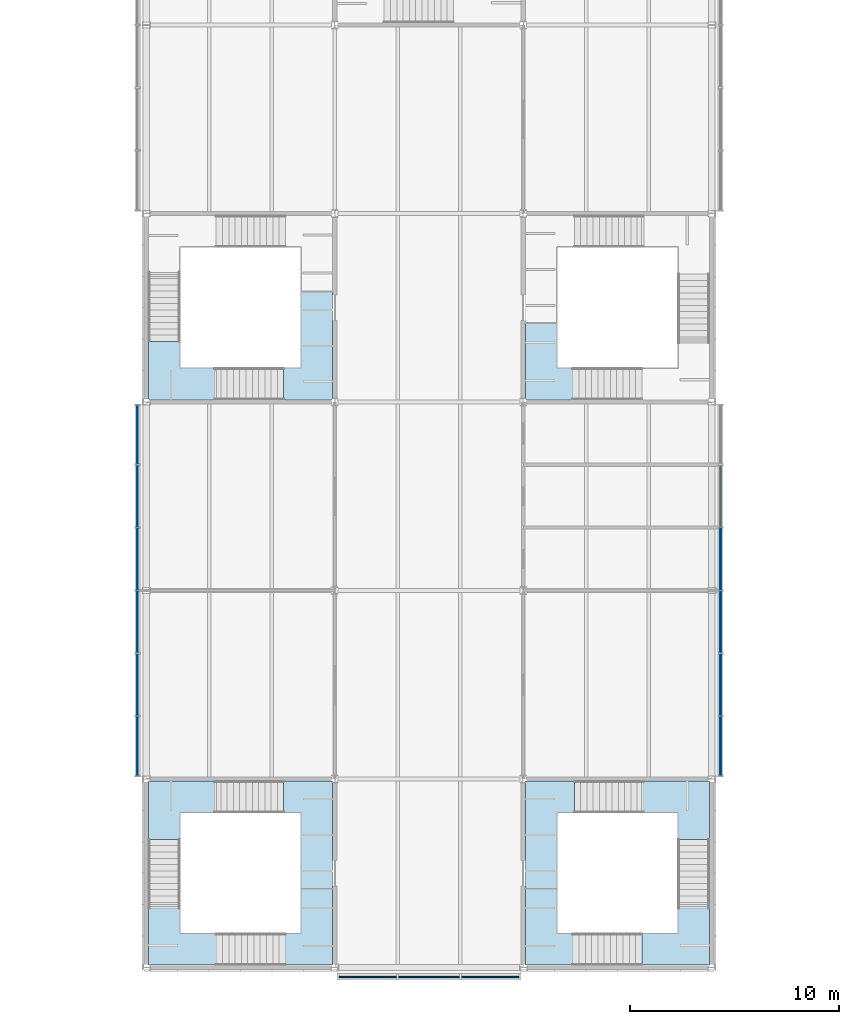
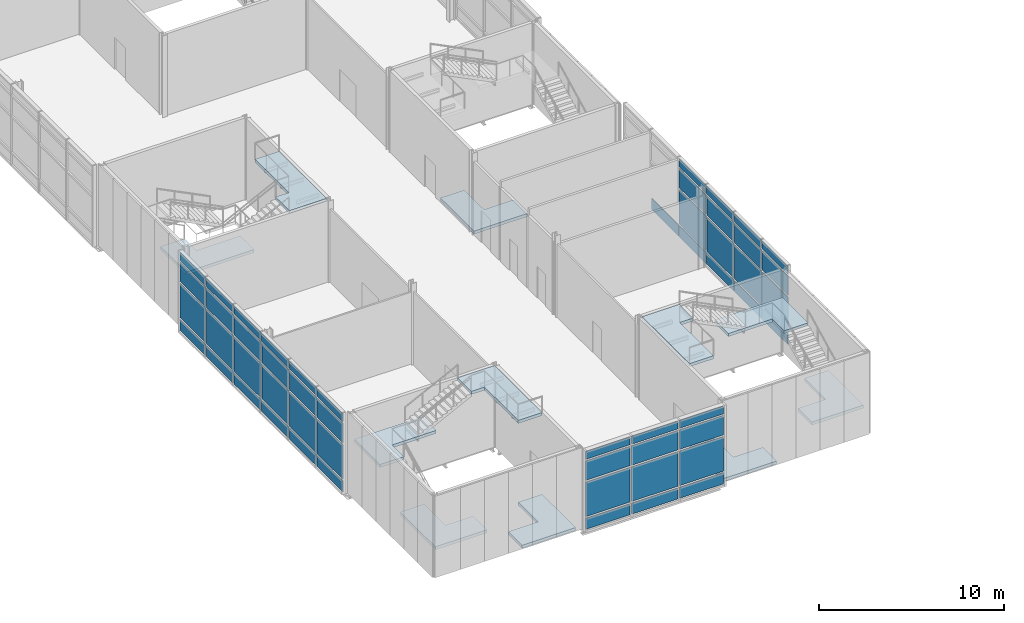
# One storey, part 25 of 52: 53 plates, 11 slabs, 7 elements without a shape of their own.
"""IFC4 building model written with IfcOpenShell, lengths in metres."""

from ifc_helpers import new_model, si_unit, direction, frame, origin, origin_2d, place, context, subcontext, project, spatial, polyline, rectangle, outline, extrude, material, layer, layer_set, type_object, element, aggregate, save


model = new_model("IFC4")

# Units and contexts
model_context = context("Model", 3, precision=1e-05, world=origin(), true_north=direction((0.0, 1.0)))
body_context = subcontext(model_context, "Body", "Model", "MODEL_VIEW")
ifc_project = project(units=[si_unit("LENGTHUNIT", "METRE"), si_unit("AREAUNIT", "SQUARE_METRE"), si_unit("VOLUMEUNIT", "CUBIC_METRE"), si_unit("PLANEANGLEUNIT", "RADIAN"), si_unit("MASSUNIT", "GRAM", prefix="KILO")], contexts=[model_context])

# Site, building, storey
site_placement = place(None, origin())
site = spatial("IfcSite", under=ifc_project, at=site_placement, CompositionType="ELEMENT")
building_placement = place(site_placement, origin())
building = spatial("IfcBuilding", under=site, at=building_placement, Name="Azimuth Sports and Learning Centre", CompositionType="ELEMENT")
storey_placement = place(building_placement, frame((0.0, 0.0, 16.199951171875)))
storey = spatial("IfcBuildingStorey", under=building, at=storey_placement, Name="L03", CompositionType="ELEMENT", Elevation=16.199951171875)

# Stair, slabs
ifc_material_1 = material(Name="Concrete C32/40", Category="concrete")
stair_type = type_object("IfcStairType", Name="Square-well stair stem cell 5400 storey", PredefinedType="THREE_QUARTER_TURN_STAIR", material=ifc_material_1)
stair_1_placement = place(storey_placement, origin())
stair_1 = element("IfcStair", 1, at=stair_1_placement, inside=storey, type_object=stair_type, Name="Stair ST1 L03-L04", PredefinedType="THREE_QUARTER_TURN_STAIR")
ifc_material_2 = material(Name="Concrete C32/40", Category="concrete")
ifc_layer_1 = layer(ifc_material_2, 0.199951171875)
ifc_layer_set_1 = layer_set([ifc_layer_1], Name="Concrete C32/40")
slab_type = type_object("IfcSlabType", Name="Concrete stair landing", PredefinedType="LANDING", material=ifc_layer_set_1)
slab_1_placement = place(storey_placement, frame((0.0, 0.0, -0.199951171875)))
slab_1 = element("IfcSlab", 2, at=slab_1_placement, type_object=slab_type, Name="Stair ST1 L03 landing 1", PredefinedType="LANDING", context=body_context, shape_type="SweptSolid", body=[
    extrude(outline(polyline([(80.889892578125, 0.110107421875), (80.889892578125, 3.75), (79.389892578125, 3.75), (79.389892578125, 1.610107421875), (77.5400390625, 1.610107421875), (77.5400390625, 0.110107421875), (80.889892578125, 0.110107421875)])), origin(), (0.0, 0.0, 1.0), 0.199951171875),
])
slab_2_placement = place(storey_placement, frame((0.0, 0.0, 1.60009765625)))
slab_2 = element("IfcSlab", 3, at=slab_2_placement, type_object=slab_type, Name="Stair ST1 L03 landing 2", PredefinedType="LANDING", context=body_context, shape_type="SweptSolid", body=[
    extrude(outline(polyline([(73.610107421875, 1.610107421875), (73.610107421875, 3.909912109375), (72.110107421875, 3.909912109375), (72.110107421875, 0.110107421875), (75.3408203125, 0.110107421875), (75.3408203125, 1.610107421875), (73.610107421875, 1.610107421875)])), origin(), (0.0, 0.0, 1.0), 0.199951171875),
])
slab_3_placement = place(storey_placement, frame((0.0, 0.0, 3.400146484375)))
slab_3 = element("IfcSlab", 4, at=slab_3_placement, type_object=slab_type, Name="Stair ST1 L03 landing 3", PredefinedType="LANDING", context=body_context, shape_type="SweptSolid", body=[
    extrude(outline(polyline([(73.610107421875, 7.389892578125), (76.360107421875, 7.389892578125), (76.360107421875, 8.889892578125), (72.110107421875, 8.889892578125), (72.110107421875, 6.109375), (73.610107421875, 6.109375), (73.610107421875, 7.389892578125)])), origin(), (0.0, 0.0, 1.0), 0.199951171875),
])
slab_4_placement = place(storey_placement, frame((0.0, 0.0, 5.199951171875)))
slab_4 = element("IfcSlab", 5, at=slab_4_placement, type_object=slab_type, Name="Stair ST1 L03 landing 4", PredefinedType="LANDING", context=body_context, shape_type="SweptSolid", body=[
    extrude(outline(polyline([(79.389892578125, 7.389892578125), (79.389892578125, 3.75), (80.889892578125, 3.75), (80.889892578125, 8.889892578125), (78.559326171875, 8.889892578125), (78.559326171875, 7.389892578125), (79.389892578125, 7.389892578125)])), origin(), (0.0, 0.0, 1.0), 0.2001953125),
])
aggregate(stair_1, [slab_1, slab_2, slab_3, slab_4])

stair_2_placement = place(storey_placement, origin())
stair_2 = element("IfcStair", 6, at=stair_2_placement, inside=storey, type_object=stair_type, Name="Stair ST2 L03-L04", PredefinedType="THREE_QUARTER_TURN_STAIR")
slab_5_placement = place(storey_placement, frame((0.0, 0.0, -0.199951171875)))
slab_5 = element("IfcSlab", 7, at=slab_5_placement, type_object=slab_type, Name="Stair ST2 L03 landing 1", PredefinedType="LANDING", context=body_context, shape_type="SweptSolid", body=[
    extrude(outline(polyline([(93.4599609375, 1.610107421875), (91.610107421875, 1.610107421875), (91.610107421875, 3.75), (90.110107421875, 3.75), (90.110107421875, 0.110107421875), (93.4599609375, 0.110107421875), (93.4599609375, 1.610107421875)])), origin(), (0.0, 0.0, 1.0), 0.199951171875),
])
slab_6_placement = place(storey_placement, frame((0.0, 0.0, 1.60009765625)))
slab_6 = element("IfcSlab", 8, at=slab_6_placement, type_object=slab_type, Name="Stair ST2 L03 landing 2", PredefinedType="LANDING", context=body_context, shape_type="SweptSolid", body=[
    extrude(outline(polyline([(97.389892578125, 1.610107421875), (95.6591796875, 1.610107421875), (95.6591796875, 0.110107421875), (98.889892578125, 0.110107421875), (98.889892578125, 3.909912109375), (97.389892578125, 3.909912109375), (97.389892578125, 1.610107421875)])), origin(), (0.0, 0.0, 1.0), 0.199951171875),
])
slab_7_placement = place(storey_placement, frame((0.0, 0.0, 3.400146484375)))
slab_7 = element("IfcSlab", 9, at=slab_7_placement, type_object=slab_type, Name="Stair ST2 L03 landing 3", PredefinedType="LANDING", context=body_context, shape_type="SweptSolid", body=[
    extrude(outline(polyline([(97.389892578125, 7.389892578125), (97.389892578125, 6.109375), (98.889892578125, 6.109375), (98.889892578125, 8.889892578125), (94.639892578125, 8.889892578125), (94.639892578125, 7.389892578125), (97.389892578125, 7.389892578125)])), origin(), (0.0, 0.0, 1.0), 0.199951171875),
])
slab_8_placement = place(storey_placement, frame((0.0, 0.0, 5.199951171875)))
slab_8 = element("IfcSlab", 10, at=slab_8_placement, type_object=slab_type, Name="Stair ST2 L03 landing 4", PredefinedType="LANDING", context=body_context, shape_type="SweptSolid", body=[
    extrude(outline(polyline([(91.610107421875, 7.389892578125), (92.440673828125, 7.389892578125), (92.440673828125, 8.889892578125), (90.110107421875, 8.889892578125), (90.110107421875, 3.75), (91.610107421875, 3.75), (91.610107421875, 7.389892578125)])), origin(), (0.0, 0.0, 1.0), 0.2001953125),
])
aggregate(stair_2, [slab_5, slab_6, slab_7, slab_8])

stair_3_placement = place(storey_placement, origin())
stair_3 = element("IfcStair", 11, at=stair_3_placement, inside=storey, type_object=stair_type, Name="Stair ST3 L03-L04", PredefinedType="THREE_QUARTER_TURN_STAIR")
slab_9_placement = place(storey_placement, frame((0.0, 0.0, 3.400146484375)))
slab_9 = element("IfcSlab", 12, at=slab_9_placement, type_object=slab_type, Name="Stair ST3 L03 landing 3", PredefinedType="LANDING", context=body_context, shape_type="SweptSolid", body=[
    extrude(outline(polyline([(73.610107421875, 28.610107421875), (73.610107421875, 29.890625), (72.110107421875, 29.890625), (72.110107421875, 27.110107421875), (76.360107421875, 27.110107421875), (76.360107421875, 28.610107421875), (73.610107421875, 28.610107421875)])), origin(), (0.0, 0.0, 1.0), 0.199951171875),
])
slab_10_placement = place(storey_placement, frame((0.0, 0.0, 5.199951171875)))
slab_10 = element("IfcSlab", 13, at=slab_10_placement, type_object=slab_type, Name="Stair ST3 L03 landing 4", PredefinedType="LANDING", context=body_context, shape_type="SweptSolid", body=[
    extrude(outline(polyline([(79.389892578125, 28.610107421875), (78.559326171875, 28.610107421875), (78.559326171875, 27.110107421875), (80.889892578125, 27.110107421875), (80.889892578125, 32.25), (79.389892578125, 32.25), (79.389892578125, 28.610107421875)])), origin(), (0.0, 0.0, 1.0), 0.2001953125),
])
aggregate(stair_3, [slab_9, slab_10])

# Stair, slab
stair_4_placement = place(storey_placement, origin())
stair_4 = element("IfcStair", 14, at=stair_4_placement, inside=storey, type_object=stair_type, Name="Stair ST4 L03-L04", PredefinedType="THREE_QUARTER_TURN_STAIR")
slab_11_placement = place(storey_placement, frame((0.0, 0.0, -0.199951171875)))
slab_11 = element("IfcSlab", 15, at=slab_11_placement, type_object=slab_type, Name="Stair ST4 L03 landing 1", PredefinedType="LANDING", context=body_context, shape_type="SweptSolid", body=[
    extrude(outline(polyline([(93.4599609375, 28.610107421875), (91.610107421875, 28.610107421875), (91.610107421875, 30.75), (90.110107421875, 30.75), (90.110107421875, 27.110107421875), (93.4599609375, 27.110107421875), (93.4599609375, 28.610107421875)])), origin(), (0.0, 0.0, 1.0), 0.199951171875),
])
aggregate(stair_4, [slab_11])

# Curtain wall, plates
ifc_material_3 = material(Name="Aluminium and glass", Category="aluminium")
curtain_wall_type_1 = type_object("IfcCurtainWallType", Name="Curtain wall podium stem 240", PredefinedType="NOTDEFINED", material=ifc_material_3)
curtain_wall_1_placement = place(storey_placement, origin())
curtain_wall_1 = element("IfcCurtainWall", 16, at=curtain_wall_1_placement, inside=storey, type_object=curtain_wall_type_1, Name="Curtain wall CW03-004", PredefinedType="NOTDEFINED")
ifc_material_4 = material(Name="Insulated aluminium panel", Category="aluminium")
ifc_layer_2 = layer(ifc_material_4, 0.06005859375)
ifc_layer_set_2 = layer_set([ifc_layer_2], Name="Insulated aluminium panel")
plate_type_1 = type_object("IfcPlateType", Name="Spandrel panel 60 mm", PredefinedType="CURTAIN_PANEL", material=ifc_layer_set_2)
plate_1_placement = place(storey_placement, frame((71.580078125, 25.429931640625, 0.1201171875), z_axis=(0.0, 0.0, 1.0), x_axis=(0.0, -1.0, 0.0)))
plate_1 = element("IfcPlate", 17, at=plate_1_placement, type_object=plate_type_1, Name="CW03-004 panel 1.1", PredefinedType="CURTAIN_PANEL", context=body_context, shape_type="SweptSolid", body=[
    extrude(rectangle(XDim=2.780029296875, YDim=0.06005859375, at=origin_2d()), origin(), (0.0, 0.0, 1.0), 0.719970703125),
])
plate_2_placement = place(storey_placement, frame((71.580078125, 25.429931640625, 4.760009765625), z_axis=(0.0, 0.0, 1.0), x_axis=(0.0, -1.0, 0.0)))
plate_2 = element("IfcPlate", 18, at=plate_2_placement, type_object=plate_type_1, Name="CW03-004 panel 1.4", PredefinedType="CURTAIN_PANEL", context=body_context, shape_type="SweptSolid", body=[
    extrude(rectangle(XDim=2.780029296875, YDim=0.06005859375, at=origin_2d()), origin(), (0.0, 0.0, 1.0), 0.52001953125),
])
plate_3_placement = place(storey_placement, frame((71.580078125, 22.5, 0.1201171875), z_axis=(0.0, 0.0, 1.0), x_axis=(0.0, -1.0, 0.0)))
plate_3 = element("IfcPlate", 19, at=plate_3_placement, type_object=plate_type_1, Name="CW03-004 panel 2.1", PredefinedType="CURTAIN_PANEL", context=body_context, shape_type="SweptSolid", body=[
    extrude(rectangle(XDim=2.919921875, YDim=0.06005859375, at=origin_2d()), origin(), (0.0, 0.0, 1.0), 0.719970703125),
])
plate_4_placement = place(storey_placement, frame((71.580078125, 22.5, 4.760009765625), z_axis=(0.0, 0.0, 1.0), x_axis=(0.0, -1.0, 0.0)))
plate_4 = element("IfcPlate", 20, at=plate_4_placement, type_object=plate_type_1, Name="CW03-004 panel 2.4", PredefinedType="CURTAIN_PANEL", context=body_context, shape_type="SweptSolid", body=[
    extrude(rectangle(XDim=2.919921875, YDim=0.06005859375, at=origin_2d()), origin(), (0.0, 0.0, 1.0), 0.52001953125),
])
plate_5_placement = place(storey_placement, frame((71.580078125, 19.5, 0.1201171875), z_axis=(0.0, 0.0, 1.0), x_axis=(0.0, -1.0, 0.0)))
plate_5 = element("IfcPlate", 21, at=plate_5_placement, type_object=plate_type_1, Name="CW03-004 panel 3.1", PredefinedType="CURTAIN_PANEL", context=body_context, shape_type="SweptSolid", body=[
    extrude(rectangle(XDim=2.919921875, YDim=0.06005859375, at=origin_2d()), origin(), (0.0, 0.0, 1.0), 0.719970703125),
])
plate_6_placement = place(storey_placement, frame((71.580078125, 19.5, 4.760009765625), z_axis=(0.0, 0.0, 1.0), x_axis=(0.0, -1.0, 0.0)))
plate_6 = element("IfcPlate", 22, at=plate_6_placement, type_object=plate_type_1, Name="CW03-004 panel 3.4", PredefinedType="CURTAIN_PANEL", context=body_context, shape_type="SweptSolid", body=[
    extrude(rectangle(XDim=2.919921875, YDim=0.06005859375, at=origin_2d()), origin(), (0.0, 0.0, 1.0), 0.52001953125),
])
plate_7_placement = place(storey_placement, frame((71.580078125, 16.5, 0.1201171875), z_axis=(0.0, 0.0, 1.0), x_axis=(0.0, -1.0, 0.0)))
plate_7 = element("IfcPlate", 23, at=plate_7_placement, type_object=plate_type_1, Name="CW03-004 panel 4.1", PredefinedType="CURTAIN_PANEL", context=body_context, shape_type="SweptSolid", body=[
    extrude(rectangle(XDim=2.919921875, YDim=0.06005859375, at=origin_2d()), origin(), (0.0, 0.0, 1.0), 0.719970703125),
])
plate_8_placement = place(storey_placement, frame((71.580078125, 16.5, 4.760009765625), z_axis=(0.0, 0.0, 1.0), x_axis=(0.0, -1.0, 0.0)))
plate_8 = element("IfcPlate", 24, at=plate_8_placement, type_object=plate_type_1, Name="CW03-004 panel 4.4", PredefinedType="CURTAIN_PANEL", context=body_context, shape_type="SweptSolid", body=[
    extrude(rectangle(XDim=2.919921875, YDim=0.06005859375, at=origin_2d()), origin(), (0.0, 0.0, 1.0), 0.52001953125),
])
plate_9_placement = place(storey_placement, frame((71.580078125, 13.5, 0.1201171875), z_axis=(0.0, 0.0, 1.0), x_axis=(0.0, -1.0, 0.0)))
plate_9 = element("IfcPlate", 25, at=plate_9_placement, type_object=plate_type_1, Name="CW03-004 panel 5.1", PredefinedType="CURTAIN_PANEL", context=body_context, shape_type="SweptSolid", body=[
    extrude(rectangle(XDim=2.919921875, YDim=0.06005859375, at=origin_2d()), origin(), (0.0, 0.0, 1.0), 0.719970703125),
])
plate_10_placement = place(storey_placement, frame((71.580078125, 13.5, 4.760009765625), z_axis=(0.0, 0.0, 1.0), x_axis=(0.0, -1.0, 0.0)))
plate_10 = element("IfcPlate", 26, at=plate_10_placement, type_object=plate_type_1, Name="CW03-004 panel 5.4", PredefinedType="CURTAIN_PANEL", context=body_context, shape_type="SweptSolid", body=[
    extrude(rectangle(XDim=2.919921875, YDim=0.06005859375, at=origin_2d()), origin(), (0.0, 0.0, 1.0), 0.52001953125),
])
plate_11_placement = place(storey_placement, frame((71.580078125, 10.570068359375, 0.1201171875), z_axis=(0.0, 0.0, 1.0), x_axis=(0.0, -1.0, 0.0)))
plate_11 = element("IfcPlate", 27, at=plate_11_placement, type_object=plate_type_1, Name="CW03-004 panel 6.1", PredefinedType="CURTAIN_PANEL", context=body_context, shape_type="SweptSolid", body=[
    extrude(rectangle(XDim=2.780029296875, YDim=0.06005859375, at=origin_2d()), origin(), (0.0, 0.0, 1.0), 0.719970703125),
])
plate_12_placement = place(storey_placement, frame((71.580078125, 10.570068359375, 4.760009765625), z_axis=(0.0, 0.0, 1.0), x_axis=(0.0, -1.0, 0.0)))
plate_12 = element("IfcPlate", 28, at=plate_12_placement, type_object=plate_type_1, Name="CW03-004 panel 6.4", PredefinedType="CURTAIN_PANEL", context=body_context, shape_type="SweptSolid", body=[
    extrude(rectangle(XDim=2.780029296875, YDim=0.06005859375, at=origin_2d()), origin(), (0.0, 0.0, 1.0), 0.52001953125),
])

curtain_wall_2_placement = place(storey_placement, origin())
curtain_wall_2 = element("IfcCurtainWall", 29, at=curtain_wall_2_placement, inside=storey, type_object=curtain_wall_type_1, Name="Curtain wall CW03-006", PredefinedType="NOTDEFINED")
plate_13_placement = place(storey_placement, frame((99.419921875, 10.570068359375, 0.1201171875), z_axis=(0.0, 0.0, 1.0), x_axis=(0.0, 1.0, 0.0)))
plate_13 = element("IfcPlate", 30, at=plate_13_placement, type_object=plate_type_1, Name="CW03-006 panel 1.1", PredefinedType="CURTAIN_PANEL", context=body_context, shape_type="SweptSolid", body=[
    extrude(rectangle(XDim=2.780029296875, YDim=0.06005859375, at=origin_2d()), origin(), (0.0, 0.0, 1.0), 0.719970703125),
])
plate_14_placement = place(storey_placement, frame((99.419921875, 10.570068359375, 4.760009765625), z_axis=(0.0, 0.0, 1.0), x_axis=(0.0, 1.0, 0.0)))
plate_14 = element("IfcPlate", 31, at=plate_14_placement, type_object=plate_type_1, Name="CW03-006 panel 1.4", PredefinedType="CURTAIN_PANEL", context=body_context, shape_type="SweptSolid", body=[
    extrude(rectangle(XDim=2.780029296875, YDim=0.06005859375, at=origin_2d()), origin(), (0.0, 0.0, 1.0), 0.52001953125),
])
plate_15_placement = place(storey_placement, frame((99.419921875, 13.5, 0.1201171875), z_axis=(0.0, 0.0, 1.0), x_axis=(0.0, 1.0, 0.0)))
plate_15 = element("IfcPlate", 32, at=plate_15_placement, type_object=plate_type_1, Name="CW03-006 panel 2.1", PredefinedType="CURTAIN_PANEL", context=body_context, shape_type="SweptSolid", body=[
    extrude(rectangle(XDim=2.919921875, YDim=0.06005859375, at=origin_2d()), origin(), (0.0, 0.0, 1.0), 0.719970703125),
])
plate_16_placement = place(storey_placement, frame((99.419921875, 13.5, 4.760009765625), z_axis=(0.0, 0.0, 1.0), x_axis=(0.0, 1.0, 0.0)))
plate_16 = element("IfcPlate", 33, at=plate_16_placement, type_object=plate_type_1, Name="CW03-006 panel 2.4", PredefinedType="CURTAIN_PANEL", context=body_context, shape_type="SweptSolid", body=[
    extrude(rectangle(XDim=2.919921875, YDim=0.06005859375, at=origin_2d()), origin(), (0.0, 0.0, 1.0), 0.52001953125),
])
plate_17_placement = place(storey_placement, frame((99.419921875, 16.5, 0.1201171875), z_axis=(0.0, 0.0, 1.0), x_axis=(0.0, 1.0, 0.0)))
plate_17 = element("IfcPlate", 34, at=plate_17_placement, type_object=plate_type_1, Name="CW03-006 panel 3.1", PredefinedType="CURTAIN_PANEL", context=body_context, shape_type="SweptSolid", body=[
    extrude(rectangle(XDim=2.919921875, YDim=0.06005859375, at=origin_2d()), origin(), (0.0, 0.0, 1.0), 0.719970703125),
])
plate_18_placement = place(storey_placement, frame((99.419921875, 16.5, 4.760009765625), z_axis=(0.0, 0.0, 1.0), x_axis=(0.0, 1.0, 0.0)))
plate_18 = element("IfcPlate", 35, at=plate_18_placement, type_object=plate_type_1, Name="CW03-006 panel 3.4", PredefinedType="CURTAIN_PANEL", context=body_context, shape_type="SweptSolid", body=[
    extrude(rectangle(XDim=2.919921875, YDim=0.06005859375, at=origin_2d()), origin(), (0.0, 0.0, 1.0), 0.52001953125),
])
plate_19_placement = place(storey_placement, frame((99.419921875, 19.5, 0.1201171875), z_axis=(0.0, 0.0, 1.0), x_axis=(0.0, 1.0, 0.0)))
plate_19 = element("IfcPlate", 36, at=plate_19_placement, type_object=plate_type_1, Name="CW03-006 panel 4.1", PredefinedType="CURTAIN_PANEL", context=body_context, shape_type="SweptSolid", body=[
    extrude(rectangle(XDim=2.919921875, YDim=0.06005859375, at=origin_2d()), origin(), (0.0, 0.0, 1.0), 0.719970703125),
])
plate_20_placement = place(storey_placement, frame((99.419921875, 19.5, 4.760009765625), z_axis=(0.0, 0.0, 1.0), x_axis=(0.0, 1.0, 0.0)))
plate_20 = element("IfcPlate", 37, at=plate_20_placement, type_object=plate_type_1, Name="CW03-006 panel 4.4", PredefinedType="CURTAIN_PANEL", context=body_context, shape_type="SweptSolid", body=[
    extrude(rectangle(XDim=2.919921875, YDim=0.06005859375, at=origin_2d()), origin(), (0.0, 0.0, 1.0), 0.52001953125),
])
plate_21_placement = place(storey_placement, frame((99.419921875, 22.5, 0.1201171875), z_axis=(0.0, 0.0, 1.0), x_axis=(0.0, 1.0, 0.0)))
plate_21 = element("IfcPlate", 38, at=plate_21_placement, type_object=plate_type_1, Name="CW03-006 panel 5.1", PredefinedType="CURTAIN_PANEL", context=body_context, shape_type="SweptSolid", body=[
    extrude(rectangle(XDim=2.919921875, YDim=0.06005859375, at=origin_2d()), origin(), (0.0, 0.0, 1.0), 0.719970703125),
])

ifc_material_5 = material(Name="Aluminium and glass", Category="aluminium")
curtain_wall_type_2 = type_object("IfcCurtainWallType", Name="Curtain wall podium front 300", PredefinedType="NOTDEFINED", material=ifc_material_5)
curtain_wall_3_placement = place(storey_placement, origin())
curtain_wall_3 = element("IfcCurtainWall", 39, at=curtain_wall_3_placement, inside=storey, type_object=curtain_wall_type_2, Name="Curtain wall CW03-005", PredefinedType="NOTDEFINED")
ifc_material_6 = material(Name="Insulated aluminium panel", Category="aluminium")
ifc_layer_3 = layer(ifc_material_6, 0.080078125)
ifc_layer_set_3 = layer_set([ifc_layer_3], Name="Insulated aluminium panel")
plate_type_2 = type_object("IfcPlateType", Name="Spandrel panel 80 mm", PredefinedType="CURTAIN_PANEL", material=ifc_layer_set_3)
plate_22_placement = place(storey_placement, frame((82.574951171875, -0.449951171875, 0.14013671875), z_axis=(0.0, 0.0, 1.0), x_axis=(1.0, 0.0, 0.0)))
plate_22 = element("IfcPlate", 40, at=plate_22_placement, type_object=plate_type_2, Name="CW03-005 panel 1.1", PredefinedType="CURTAIN_PANEL", context=body_context, shape_type="SweptSolid", body=[
    extrude(rectangle(XDim=2.75, YDim=0.080078125, at=origin_2d()), origin(), (0.0, 0.0, 1.0), 0.68994140625),
])
plate_23_placement = place(storey_placement, frame((82.574951171875, -0.449951171875, 4.77001953125), z_axis=(0.0, 0.0, 1.0), x_axis=(1.0, 0.0, 0.0)))
plate_23 = element("IfcPlate", 41, at=plate_23_placement, type_object=plate_type_2, Name="CW03-005 panel 1.4", PredefinedType="CURTAIN_PANEL", context=body_context, shape_type="SweptSolid", body=[
    extrude(rectangle(XDim=2.75, YDim=0.080078125, at=origin_2d()), origin(), (0.0, 0.0, 1.0), 0.489990234375),
])
plate_24_placement = place(storey_placement, frame((85.5, -0.449951171875, 0.14013671875), z_axis=(0.0, 0.0, 1.0), x_axis=(1.0, 0.0, 0.0)))
plate_24 = element("IfcPlate", 42, at=plate_24_placement, type_object=plate_type_2, Name="CW03-005 panel 2.1", PredefinedType="CURTAIN_PANEL", context=body_context, shape_type="SweptSolid", body=[
    extrude(rectangle(XDim=2.89990234375, YDim=0.080078125, at=origin_2d()), origin(), (0.0, 0.0, 1.0), 0.68994140625),
])
plate_25_placement = place(storey_placement, frame((85.5, -0.449951171875, 4.77001953125), z_axis=(0.0, 0.0, 1.0), x_axis=(1.0, 0.0, 0.0)))
plate_25 = element("IfcPlate", 43, at=plate_25_placement, type_object=plate_type_2, Name="CW03-005 panel 2.4", PredefinedType="CURTAIN_PANEL", context=body_context, shape_type="SweptSolid", body=[
    extrude(rectangle(XDim=2.89990234375, YDim=0.080078125, at=origin_2d()), origin(), (0.0, 0.0, 1.0), 0.489990234375),
])
plate_26_placement = place(storey_placement, frame((88.425048828125, -0.449951171875, 0.14013671875), z_axis=(0.0, 0.0, 1.0), x_axis=(1.0, 0.0, 0.0)))
plate_26 = element("IfcPlate", 44, at=plate_26_placement, type_object=plate_type_2, Name="CW03-005 panel 3.1", PredefinedType="CURTAIN_PANEL", context=body_context, shape_type="SweptSolid", body=[
    extrude(rectangle(XDim=2.75, YDim=0.080078125, at=origin_2d()), origin(), (0.0, 0.0, 1.0), 0.68994140625),
])
plate_27_placement = place(storey_placement, frame((88.425048828125, -0.449951171875, 4.77001953125), z_axis=(0.0, 0.0, 1.0), x_axis=(1.0, 0.0, 0.0)))
plate_27 = element("IfcPlate", 45, at=plate_27_placement, type_object=plate_type_2, Name="CW03-005 panel 3.4", PredefinedType="CURTAIN_PANEL", context=body_context, shape_type="SweptSolid", body=[
    extrude(rectangle(XDim=2.75, YDim=0.080078125, at=origin_2d()), origin(), (0.0, 0.0, 1.0), 0.489990234375),
])

# Plate
ifc_material_7 = material(Name="Glass", Category="glass")
ifc_layer_4 = layer(ifc_material_7, 0.0439453125)
ifc_layer_set_4 = layer_set([ifc_layer_4], Name="Glass")
plate_type_3 = type_object("IfcPlateType", Name="Vision glass 44 mm", PredefinedType="CURTAIN_PANEL", material=ifc_layer_set_4)
plate_28_placement = place(storey_placement, frame((71.580078125, 25.429931640625, 0.9599609375), z_axis=(0.0, 0.0, 1.0), x_axis=(0.0, -1.0, 0.0)))
plate_28 = element("IfcPlate", 46, at=plate_28_placement, type_object=plate_type_3, Name="CW03-004 panel 1.2", PredefinedType="CURTAIN_PANEL", context=body_context, shape_type="SweptSolid", body=[
    extrude(rectangle(XDim=2.780029296875, YDim=0.0439453125, at=origin_2d()), origin(), (0.0, 0.0, 1.0), 2.280029296875),
])

plate_29_placement = place(storey_placement, frame((71.580078125, 25.429931640625, 3.35986328125), z_axis=(0.0, 0.0, 1.0), x_axis=(0.0, -1.0, 0.0)))
plate_29 = element("IfcPlate", 47, at=plate_29_placement, type_object=plate_type_3, Name="CW03-004 panel 1.3", PredefinedType="CURTAIN_PANEL", context=body_context, shape_type="SweptSolid", body=[
    extrude(rectangle(XDim=2.780029296875, YDim=0.0439453125, at=origin_2d()), origin(), (0.0, 0.0, 1.0), 1.280029296875),
])

plate_30_placement = place(storey_placement, frame((71.580078125, 22.5, 0.9599609375), z_axis=(0.0, 0.0, 1.0), x_axis=(0.0, -1.0, 0.0)))
plate_30 = element("IfcPlate", 48, at=plate_30_placement, type_object=plate_type_3, Name="CW03-004 panel 2.2", PredefinedType="CURTAIN_PANEL", context=body_context, shape_type="SweptSolid", body=[
    extrude(rectangle(XDim=2.919921875, YDim=0.0439453125, at=origin_2d()), origin(), (0.0, 0.0, 1.0), 2.280029296875),
])

plate_31_placement = place(storey_placement, frame((71.580078125, 22.5, 3.35986328125), z_axis=(0.0, 0.0, 1.0), x_axis=(0.0, -1.0, 0.0)))
plate_31 = element("IfcPlate", 49, at=plate_31_placement, type_object=plate_type_3, Name="CW03-004 panel 2.3", PredefinedType="CURTAIN_PANEL", context=body_context, shape_type="SweptSolid", body=[
    extrude(rectangle(XDim=2.919921875, YDim=0.0439453125, at=origin_2d()), origin(), (0.0, 0.0, 1.0), 1.280029296875),
])

plate_32_placement = place(storey_placement, frame((71.580078125, 19.5, 0.9599609375), z_axis=(0.0, 0.0, 1.0), x_axis=(0.0, -1.0, 0.0)))
plate_32 = element("IfcPlate", 50, at=plate_32_placement, type_object=plate_type_3, Name="CW03-004 panel 3.2", PredefinedType="CURTAIN_PANEL", context=body_context, shape_type="SweptSolid", body=[
    extrude(rectangle(XDim=2.919921875, YDim=0.0439453125, at=origin_2d()), origin(), (0.0, 0.0, 1.0), 2.280029296875),
])

plate_33_placement = place(storey_placement, frame((71.580078125, 19.5, 3.35986328125), z_axis=(0.0, 0.0, 1.0), x_axis=(0.0, -1.0, 0.0)))
plate_33 = element("IfcPlate", 51, at=plate_33_placement, type_object=plate_type_3, Name="CW03-004 panel 3.3", PredefinedType="CURTAIN_PANEL", context=body_context, shape_type="SweptSolid", body=[
    extrude(rectangle(XDim=2.919921875, YDim=0.0439453125, at=origin_2d()), origin(), (0.0, 0.0, 1.0), 1.280029296875),
])

plate_34_placement = place(storey_placement, frame((71.580078125, 16.5, 0.9599609375), z_axis=(0.0, 0.0, 1.0), x_axis=(0.0, -1.0, 0.0)))
plate_34 = element("IfcPlate", 52, at=plate_34_placement, type_object=plate_type_3, Name="CW03-004 panel 4.2", PredefinedType="CURTAIN_PANEL", context=body_context, shape_type="SweptSolid", body=[
    extrude(rectangle(XDim=2.919921875, YDim=0.0439453125, at=origin_2d()), origin(), (0.0, 0.0, 1.0), 2.280029296875),
])

plate_35_placement = place(storey_placement, frame((71.580078125, 16.5, 3.35986328125), z_axis=(0.0, 0.0, 1.0), x_axis=(0.0, -1.0, 0.0)))
plate_35 = element("IfcPlate", 53, at=plate_35_placement, type_object=plate_type_3, Name="CW03-004 panel 4.3", PredefinedType="CURTAIN_PANEL", context=body_context, shape_type="SweptSolid", body=[
    extrude(rectangle(XDim=2.919921875, YDim=0.0439453125, at=origin_2d()), origin(), (0.0, 0.0, 1.0), 1.280029296875),
])

plate_36_placement = place(storey_placement, frame((71.580078125, 13.5, 0.9599609375), z_axis=(0.0, 0.0, 1.0), x_axis=(0.0, -1.0, 0.0)))
plate_36 = element("IfcPlate", 54, at=plate_36_placement, type_object=plate_type_3, Name="CW03-004 panel 5.2", PredefinedType="CURTAIN_PANEL", context=body_context, shape_type="SweptSolid", body=[
    extrude(rectangle(XDim=2.919921875, YDim=0.0439453125, at=origin_2d()), origin(), (0.0, 0.0, 1.0), 2.280029296875),
])

plate_37_placement = place(storey_placement, frame((71.580078125, 13.5, 3.35986328125), z_axis=(0.0, 0.0, 1.0), x_axis=(0.0, -1.0, 0.0)))
plate_37 = element("IfcPlate", 55, at=plate_37_placement, type_object=plate_type_3, Name="CW03-004 panel 5.3", PredefinedType="CURTAIN_PANEL", context=body_context, shape_type="SweptSolid", body=[
    extrude(rectangle(XDim=2.919921875, YDim=0.0439453125, at=origin_2d()), origin(), (0.0, 0.0, 1.0), 1.280029296875),
])

plate_38_placement = place(storey_placement, frame((71.580078125, 10.570068359375, 0.9599609375), z_axis=(0.0, 0.0, 1.0), x_axis=(0.0, -1.0, 0.0)))
plate_38 = element("IfcPlate", 56, at=plate_38_placement, type_object=plate_type_3, Name="CW03-004 panel 6.2", PredefinedType="CURTAIN_PANEL", context=body_context, shape_type="SweptSolid", body=[
    extrude(rectangle(XDim=2.780029296875, YDim=0.0439453125, at=origin_2d()), origin(), (0.0, 0.0, 1.0), 2.280029296875),
])

plate_39_placement = place(storey_placement, frame((71.580078125, 10.570068359375, 3.35986328125), z_axis=(0.0, 0.0, 1.0), x_axis=(0.0, -1.0, 0.0)))
plate_39 = element("IfcPlate", 57, at=plate_39_placement, type_object=plate_type_3, Name="CW03-004 panel 6.3", PredefinedType="CURTAIN_PANEL", context=body_context, shape_type="SweptSolid", body=[
    extrude(rectangle(XDim=2.780029296875, YDim=0.0439453125, at=origin_2d()), origin(), (0.0, 0.0, 1.0), 1.280029296875),
])

aggregate(curtain_wall_1, [plate_1, plate_28, plate_29, plate_2, plate_3, plate_30, plate_31, plate_4, plate_5, plate_32, plate_33, plate_6, plate_7, plate_34, plate_35, plate_8, plate_9, plate_36, plate_37, plate_10, plate_11, plate_38, plate_39, plate_12])

plate_40_placement = place(storey_placement, frame((99.419921875, 10.570068359375, 0.9599609375), z_axis=(0.0, 0.0, 1.0), x_axis=(0.0, 1.0, 0.0)))
plate_40 = element("IfcPlate", 58, at=plate_40_placement, type_object=plate_type_3, Name="CW03-006 panel 1.2", PredefinedType="CURTAIN_PANEL", context=body_context, shape_type="SweptSolid", body=[
    extrude(rectangle(XDim=2.780029296875, YDim=0.0439453125, at=origin_2d()), origin(), (0.0, 0.0, 1.0), 2.280029296875),
])

plate_41_placement = place(storey_placement, frame((99.419921875, 10.570068359375, 3.35986328125), z_axis=(0.0, 0.0, 1.0), x_axis=(0.0, 1.0, 0.0)))
plate_41 = element("IfcPlate", 59, at=plate_41_placement, type_object=plate_type_3, Name="CW03-006 panel 1.3", PredefinedType="CURTAIN_PANEL", context=body_context, shape_type="SweptSolid", body=[
    extrude(rectangle(XDim=2.780029296875, YDim=0.0439453125, at=origin_2d()), origin(), (0.0, 0.0, 1.0), 1.280029296875),
])

plate_42_placement = place(storey_placement, frame((99.419921875, 13.5, 0.9599609375), z_axis=(0.0, 0.0, 1.0), x_axis=(0.0, 1.0, 0.0)))
plate_42 = element("IfcPlate", 60, at=plate_42_placement, type_object=plate_type_3, Name="CW03-006 panel 2.2", PredefinedType="CURTAIN_PANEL", context=body_context, shape_type="SweptSolid", body=[
    extrude(rectangle(XDim=2.919921875, YDim=0.0439453125, at=origin_2d()), origin(), (0.0, 0.0, 1.0), 2.280029296875),
])

plate_43_placement = place(storey_placement, frame((99.419921875, 13.5, 3.35986328125), z_axis=(0.0, 0.0, 1.0), x_axis=(0.0, 1.0, 0.0)))
plate_43 = element("IfcPlate", 61, at=plate_43_placement, type_object=plate_type_3, Name="CW03-006 panel 2.3", PredefinedType="CURTAIN_PANEL", context=body_context, shape_type="SweptSolid", body=[
    extrude(rectangle(XDim=2.919921875, YDim=0.0439453125, at=origin_2d()), origin(), (0.0, 0.0, 1.0), 1.280029296875),
])

plate_44_placement = place(storey_placement, frame((99.419921875, 16.5, 0.9599609375), z_axis=(0.0, 0.0, 1.0), x_axis=(0.0, 1.0, 0.0)))
plate_44 = element("IfcPlate", 62, at=plate_44_placement, type_object=plate_type_3, Name="CW03-006 panel 3.2", PredefinedType="CURTAIN_PANEL", context=body_context, shape_type="SweptSolid", body=[
    extrude(rectangle(XDim=2.919921875, YDim=0.0439453125, at=origin_2d()), origin(), (0.0, 0.0, 1.0), 2.280029296875),
])

plate_45_placement = place(storey_placement, frame((99.419921875, 16.5, 3.35986328125), z_axis=(0.0, 0.0, 1.0), x_axis=(0.0, 1.0, 0.0)))
plate_45 = element("IfcPlate", 63, at=plate_45_placement, type_object=plate_type_3, Name="CW03-006 panel 3.3", PredefinedType="CURTAIN_PANEL", context=body_context, shape_type="SweptSolid", body=[
    extrude(rectangle(XDim=2.919921875, YDim=0.0439453125, at=origin_2d()), origin(), (0.0, 0.0, 1.0), 1.280029296875),
])

plate_46_placement = place(storey_placement, frame((99.419921875, 19.5, 0.9599609375), z_axis=(0.0, 0.0, 1.0), x_axis=(0.0, 1.0, 0.0)))
plate_46 = element("IfcPlate", 64, at=plate_46_placement, type_object=plate_type_3, Name="CW03-006 panel 4.2", PredefinedType="CURTAIN_PANEL", context=body_context, shape_type="SweptSolid", body=[
    extrude(rectangle(XDim=2.919921875, YDim=0.0439453125, at=origin_2d()), origin(), (0.0, 0.0, 1.0), 2.280029296875),
])

plate_47_placement = place(storey_placement, frame((99.419921875, 19.5, 3.35986328125), z_axis=(0.0, 0.0, 1.0), x_axis=(0.0, 1.0, 0.0)))
plate_47 = element("IfcPlate", 65, at=plate_47_placement, type_object=plate_type_3, Name="CW03-006 panel 4.3", PredefinedType="CURTAIN_PANEL", context=body_context, shape_type="SweptSolid", body=[
    extrude(rectangle(XDim=2.919921875, YDim=0.0439453125, at=origin_2d()), origin(), (0.0, 0.0, 1.0), 1.280029296875),
])

aggregate(curtain_wall_2, [plate_13, plate_40, plate_41, plate_14, plate_15, plate_42, plate_43, plate_16, plate_17, plate_44, plate_45, plate_18, plate_19, plate_46, plate_47, plate_20, plate_21])

ifc_material_8 = material(Name="Glass", Category="glass")
ifc_layer_5 = layer(ifc_material_8, 0.054931640625)
ifc_layer_set_5 = layer_set([ifc_layer_5], Name="Glass")
plate_type_4 = type_object("IfcPlateType", Name="Vision glass 55 mm", PredefinedType="CURTAIN_PANEL", material=ifc_layer_set_5)
plate_48_placement = place(storey_placement, frame((82.574951171875, -0.449951171875, 0.97021484375), z_axis=(0.0, 0.0, 1.0), x_axis=(1.0, 0.0, 0.0)))
plate_48 = element("IfcPlate", 66, at=plate_48_placement, type_object=plate_type_4, Name="CW03-005 panel 1.2", PredefinedType="CURTAIN_PANEL", context=body_context, shape_type="SweptSolid", body=[
    extrude(rectangle(XDim=2.75, YDim=0.054931640625, at=origin_2d()), origin(), (0.0, 0.0, 1.0), 2.260009765625),
])

plate_49_placement = place(storey_placement, frame((82.574951171875, -0.449951171875, 3.3701171875), z_axis=(0.0, 0.0, 1.0), x_axis=(1.0, 0.0, 0.0)))
plate_49 = element("IfcPlate", 67, at=plate_49_placement, type_object=plate_type_4, Name="CW03-005 panel 1.3", PredefinedType="CURTAIN_PANEL", context=body_context, shape_type="SweptSolid", body=[
    extrude(rectangle(XDim=2.75, YDim=0.054931640625, at=origin_2d()), origin(), (0.0, 0.0, 1.0), 1.260009765625),
])

plate_50_placement = place(storey_placement, frame((85.5, -0.449951171875, 0.97021484375), z_axis=(0.0, 0.0, 1.0), x_axis=(1.0, 0.0, 0.0)))
plate_50 = element("IfcPlate", 68, at=plate_50_placement, type_object=plate_type_4, Name="CW03-005 panel 2.2", PredefinedType="CURTAIN_PANEL", context=body_context, shape_type="SweptSolid", body=[
    extrude(rectangle(XDim=2.89990234375, YDim=0.054931640625, at=origin_2d()), origin(), (0.0, 0.0, 1.0), 2.260009765625),
])

plate_51_placement = place(storey_placement, frame((85.5, -0.449951171875, 3.3701171875), z_axis=(0.0, 0.0, 1.0), x_axis=(1.0, 0.0, 0.0)))
plate_51 = element("IfcPlate", 69, at=plate_51_placement, type_object=plate_type_4, Name="CW03-005 panel 2.3", PredefinedType="CURTAIN_PANEL", context=body_context, shape_type="SweptSolid", body=[
    extrude(rectangle(XDim=2.89990234375, YDim=0.054931640625, at=origin_2d()), origin(), (0.0, 0.0, 1.0), 1.260009765625),
])

plate_52_placement = place(storey_placement, frame((88.425048828125, -0.449951171875, 0.97021484375), z_axis=(0.0, 0.0, 1.0), x_axis=(1.0, 0.0, 0.0)))
plate_52 = element("IfcPlate", 70, at=plate_52_placement, type_object=plate_type_4, Name="CW03-005 panel 3.2", PredefinedType="CURTAIN_PANEL", context=body_context, shape_type="SweptSolid", body=[
    extrude(rectangle(XDim=2.75, YDim=0.054931640625, at=origin_2d()), origin(), (0.0, 0.0, 1.0), 2.260009765625),
])

plate_53_placement = place(storey_placement, frame((88.425048828125, -0.449951171875, 3.3701171875), z_axis=(0.0, 0.0, 1.0), x_axis=(1.0, 0.0, 0.0)))
plate_53 = element("IfcPlate", 71, at=plate_53_placement, type_object=plate_type_4, Name="CW03-005 panel 3.3", PredefinedType="CURTAIN_PANEL", context=body_context, shape_type="SweptSolid", body=[
    extrude(rectangle(XDim=2.75, YDim=0.054931640625, at=origin_2d()), origin(), (0.0, 0.0, 1.0), 1.260009765625),
])

aggregate(curtain_wall_3, [plate_22, plate_48, plate_49, plate_23, plate_24, plate_50, plate_51, plate_25, plate_26, plate_52, plate_53, plate_27])

save(model, "model.ifc")
